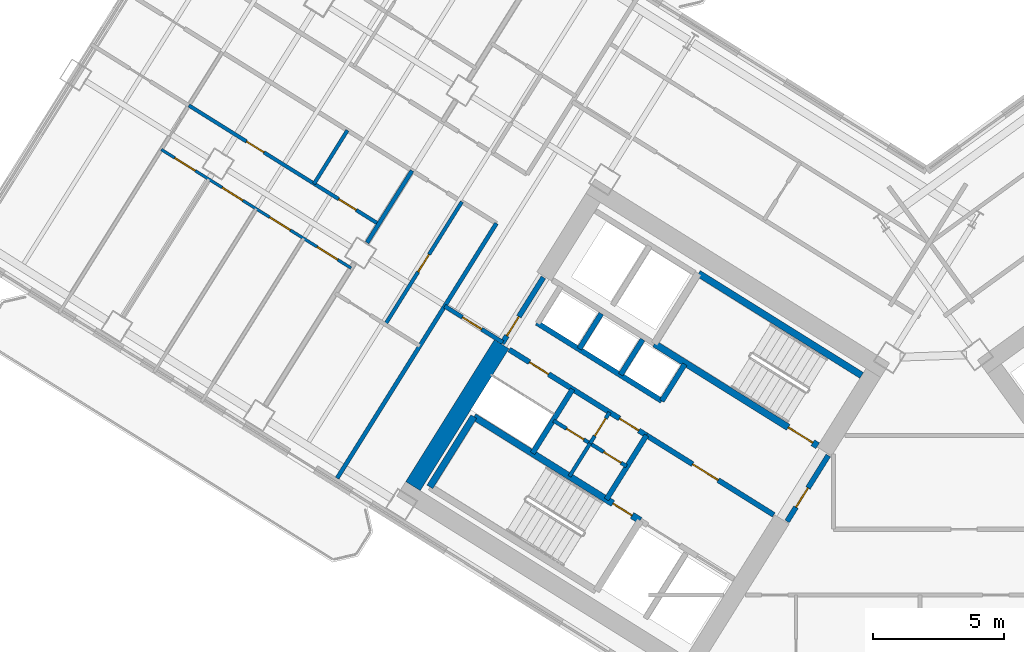
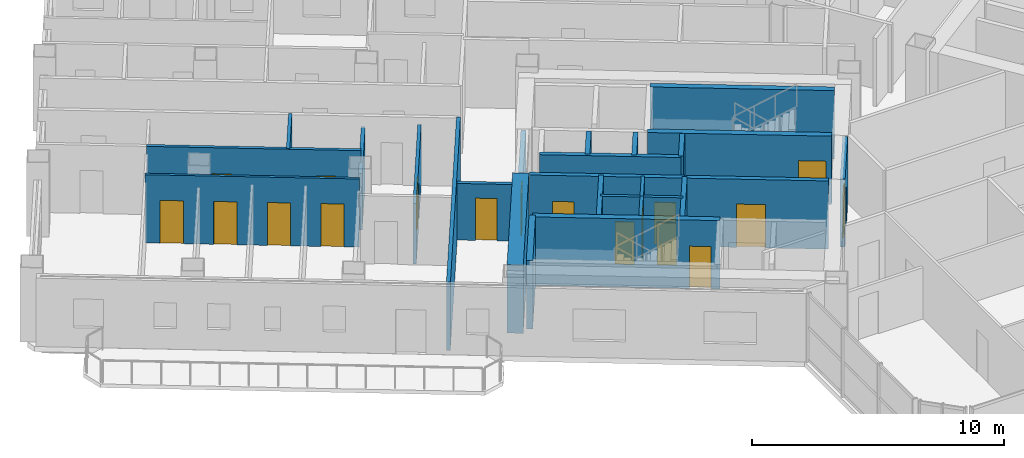
# One storey, part 12 of 22: 25 walls, 18 doors, 18 openings.
"""IFC4 building model written with IfcOpenShell, lengths in metres."""

import ifcopenshell
import ifcopenshell.guid

model = None  # the IFC model being written
_history = None  # IfcOwnerHistory: only IFC2X3 demands one
_inside = {}  # id of a spatial element -> (the spatial element, [elements in it])
_under = {}  # id of a project, library or spatial element -> (it, [spatial elements below it])
_declared = {}  # id of a project -> (the project, [libraries it declares])
_typed = {}  # id of a type object -> (the type object, [elements of that type])
_made_of = {}  # id of a material, layer set ... -> (it, [elements and type objects made of it])


def new_model(schema):
    """Start an empty IFC model of exactly this schema.

    Asked for "IFC4X3", IfcOpenShell would pick the latest addendum, in which some entities
    have other attributes; the version numbers below select the first issue.
    IFC2X3 requires an IfcOwnerHistory on every rooted entity: one is made here for all.
    """
    global model, _history
    if schema == "IFC4X3":
        model = ifcopenshell.file(schema_version=(4, 3, 0, 0))
    else:
        model = ifcopenshell.file(schema=schema)
    _inside.clear()
    _under.clear()
    _declared.clear()
    _typed.clear()
    _made_of.clear()
    _history = None
    if model.schema == "IFC2X3":
        org = make("IfcOrganization", Name="unknown")
        user = make(
            "IfcPersonAndOrganization",
            ThePerson=make("IfcPerson", FamilyName="unknown"),
            TheOrganization=org,
        )
        app = make(
            "IfcApplication",
            ApplicationDeveloper=org,
            Version="unknown",
            ApplicationFullName="unknown",
            ApplicationIdentifier="unknown",
        )
        _history = make(
            "IfcOwnerHistory",
            OwningUser=user,
            OwningApplication=app,
            ChangeAction="ADDED",
            CreationDate=0,
        )
    return model


def make(cls, **values):
    """One entity of the class cls with the attributes given. An attribute that is None is left unset."""
    return model.create_entity(
        cls, **{name: value for name, value in values.items() if value is not None}
    )


def rooted(cls, **values):
    """An entity with a GlobalId (a new one), such as an element, a storey or a relation."""
    return make(cls, GlobalId=ifcopenshell.guid.new(), OwnerHistory=_history, **values)


def si_unit(unit_type, name, prefix=None):
    """IfcSIUnit, for example si_unit("LENGTHUNIT", "METRE", prefix="MILLI")."""
    return make("IfcSIUnit", UnitType=unit_type, Prefix=prefix, Name=name)


def assignment(units):
    """IfcUnitAssignment: the units of a project."""
    return None if units is None else make("IfcUnitAssignment", Units=units)


def point(xyz):
    """IfcCartesianPoint."""
    return None if xyz is None else make("IfcCartesianPoint", Coordinates=xyz)


def direction(xyz):
    """IfcDirection."""
    return None if xyz is None else make("IfcDirection", DirectionRatios=xyz)


def frame(location, z_axis=None, x_axis=None):
    """IfcAxis2Placement3D, a coordinate frame: its origin and axes. An axis left out is left unset."""
    return make(
        "IfcAxis2Placement3D",
        Location=point(location),
        Axis=direction(z_axis),
        RefDirection=direction(x_axis),
    )


def frame_2d(location, x_axis=None):
    """IfcAxis2Placement2D, a coordinate frame in the plane: its origin and x axis."""
    return make(
        "IfcAxis2Placement2D", Location=point(location), RefDirection=direction(x_axis)
    )


def origin():
    """The frame at (0, 0, 0) with its axes left unset."""
    return frame((0.0, 0.0, 0.0))


def place(relative_to, where):
    """IfcLocalPlacement: puts the frame where relative to a parent placement (None: the world)."""
    return make(
        "IfcLocalPlacement", PlacementRelTo=relative_to, RelativePlacement=where
    )


def context(
    kind, dimensions, precision=None, world=None, true_north=None, identifier=None
):
    """IfcGeometricRepresentationContext, for example the 3D "Model" context."""
    return make(
        "IfcGeometricRepresentationContext",
        ContextIdentifier=identifier,
        ContextType=kind,
        CoordinateSpaceDimension=dimensions,
        Precision=precision,
        WorldCoordinateSystem=world,
        TrueNorth=true_north,
    )


def subcontext(parent, identifier, kind, view, scale=None):
    """IfcGeometricRepresentationSubContext, for example "Body" below "Model"."""
    return make(
        "IfcGeometricRepresentationSubContext",
        ContextIdentifier=identifier,
        ContextType=kind,
        ParentContext=parent,
        TargetScale=scale,
        TargetView=view,
    )


def project(units=None, contexts=None):
    """IfcProject with its units and contexts."""
    return rooted(
        "IfcProject",
        Name="project",
        RepresentationContexts=contexts,
        UnitsInContext=assignment(units),
    )


def spatial(cls, under=None, at=None, **own):
    """A site, building, storey or space (cls), placed at a placement, below another one or the project."""
    s = rooted(cls, ObjectPlacement=at, **own)
    if under is not None:
        _under.setdefault(under.id(), (under, []))[1].append(s)
    return s


def profile(cls, at=None, kind="AREA", **sizes):
    """A parametric profile (cls). Its sizes go by their IFC names, for example OverallWidth=200.0."""
    return make(cls, ProfileType=kind, Position=at, **sizes)


def rectangle(**sizes):
    """IfcRectangleProfileDef."""
    return profile("IfcRectangleProfileDef", **sizes)


def extrude(swept, where, along, depth):
    """IfcExtrudedAreaSolid: the profile swept, set in the frame where, extruded along a direction by depth."""
    return make(
        "IfcExtrudedAreaSolid",
        SweptArea=swept,
        Position=where,
        ExtrudedDirection=direction(along),
        Depth=depth,
    )


def shape(context_of_items, identifier, shape_type, items):
    """IfcShapeRepresentation: the items that make up one representation, for example the "Body"."""
    return make(
        "IfcShapeRepresentation",
        ContextOfItems=context_of_items,
        RepresentationIdentifier=identifier,
        RepresentationType=shape_type,
        Items=items,
    )


def source(mapping_origin, context_of_items, identifier, shape_type, items):
    """IfcRepresentationMap: a shape defined once, which mapped items show again and again."""
    return make(
        "IfcRepresentationMap",
        MappingOrigin=mapping_origin,
        MappedRepresentation=shape(context_of_items, identifier, shape_type, items),
    )


def transform(
    local_origin,
    x_axis=None,
    y_axis=None,
    z_axis=None,
    scale=None,
    scale2=None,
    scale3=None,
    uniform=True,
):
    """IfcCartesianTransformationOperator3D, or its non-uniform kind. x_axis, y_axis, z_axis: its Axis1, 2, 3."""
    if uniform:
        return make(
            "IfcCartesianTransformationOperator3D",
            Axis1=direction(x_axis),
            Axis2=direction(y_axis),
            LocalOrigin=point(local_origin),
            Scale=scale,
            Axis3=direction(z_axis),
        )
    return make(
        "IfcCartesianTransformationOperator3DnonUniform",
        Axis1=direction(x_axis),
        Axis2=direction(y_axis),
        LocalOrigin=point(local_origin),
        Scale=scale,
        Axis3=direction(z_axis),
        Scale2=scale2,
        Scale3=scale3,
    )


def mapped(mapping_source, mapping_target):
    """IfcMappedItem: shows the shape of a source again, moved by a transform."""
    return make(
        "IfcMappedItem", MappingSource=mapping_source, MappingTarget=mapping_target
    )


def material(Name=None, Category=None):
    """IfcMaterial."""
    return make("IfcMaterial", Name=Name, Category=Category)


def layer(
    of_material, thickness, ventilated=None, Name=None, Category=None, Priority=None
):
    """IfcMaterialLayer: one layer of a wall or slab, of a material (None: an air gap)."""
    return make(
        "IfcMaterialLayer",
        Material=of_material,
        LayerThickness=thickness,
        IsVentilated=ventilated,
        Name=Name,
        Category=Category,
        Priority=Priority,
    )


def layer_set(layers, Name=None):
    """IfcMaterialLayerSet."""
    return make("IfcMaterialLayerSet", MaterialLayers=layers, LayerSetName=Name)


def made_of(thing, what):
    """Note that an element or type object is made of a material, layer set ...; save() writes the relation."""
    if what is not None:
        _made_of.setdefault(what.id(), (what, []))[1].append(thing)
    return thing


def type_object(cls, material=None, **own):
    """A type object (cls), such as IfcWallType, which elements share."""
    return made_of(rooted(cls, **own), material)


def element(
    cls,
    number,
    at=None,
    inside=None,
    cuts=None,
    type_object=None,
    material=None,
    context=None,
    identifier="Body",
    shape_type=None,
    held_by="IfcProductDefinitionShape",
    body=None,
    shapes=None,
    **own,
):
    """One element of the class cls, such as IfcWall. Its Tag is "e" and its number.

    at: its placement. inside: the storey or other place that contains it. cuts: it is an
    opening in that element (IfcRelVoidsElement). A single representation is given by context,
    identifier, shape_type and body (its items); several are given by shapes. held_by: the class
    of the entity that holds the representations. save() writes the other relations.
    """
    e = rooted(cls, Tag="e%d" % number, ObjectPlacement=at, **own)
    if body is not None:
        shapes = [shape(context, identifier, shape_type, body)]
    if shapes is not None:
        e.Representation = make(held_by, Representations=shapes)
    if inside is not None:
        _inside.setdefault(inside.id(), (inside, []))[1].append(e)
    if cuts is not None:
        rooted(
            "IfcRelVoidsElement", RelatingBuildingElement=cuts, RelatedOpeningElement=e
        )
    if type_object is not None:
        _typed.setdefault(type_object.id(), (type_object, []))[1].append(e)
    return made_of(e, material)


def fill(opening, filler):
    """IfcRelFillsElement: the door or window that sits in an opening."""
    return rooted(
        "IfcRelFillsElement",
        RelatingOpeningElement=opening,
        RelatedBuildingElement=filler,
    )


def aggregate(whole, parts):
    """IfcRelAggregates: a whole, such as a stair, and the parts it consists of."""
    return rooted("IfcRelAggregates", RelatingObject=whole, RelatedObjects=parts)


def save(model, path):
    """Write the relations noted so far, then the file.

    IfcRelAggregates (storeys below a building ...), IfcRelContainedInSpatialStructure (elements
    in a storey), IfcRelDefinesByType, IfcRelAssociatesMaterial and IfcRelDeclares: one each for
    every whole, place, type object, material and project.
    """
    for whole, parts in _under.values():
        aggregate(whole, parts)
    for where, things in _inside.values():
        rooted(
            "IfcRelContainedInSpatialStructure",
            RelatedElements=things,
            RelatingStructure=where,
        )
    for kind, things in _typed.values():
        rooted("IfcRelDefinesByType", RelatedObjects=things, RelatingType=kind)
    for what, things in _made_of.values():
        rooted("IfcRelAssociatesMaterial", RelatedObjects=things, RelatingMaterial=what)
    for by, libraries in _declared.values():
        rooted("IfcRelDeclares", RelatingContext=by, RelatedDefinitions=libraries)
    model.write(path)


model = new_model("IFC4")

# Units and contexts
model_context = context("Model", 3, precision=1e-05, world=origin(), true_north=direction((0.0, 1.0)))
body_context = subcontext(model_context, "Body", "Model", "MODEL_VIEW")
ifc_project = project(units=[si_unit("LENGTHUNIT", "METRE"), si_unit("AREAUNIT", "SQUARE_METRE"), si_unit("VOLUMEUNIT", "CUBIC_METRE"), si_unit("PLANEANGLEUNIT", "RADIAN"), si_unit("MASSUNIT", "GRAM", prefix="KILO")], contexts=[model_context])

# Site, building, storey
site_placement = place(None, origin())
site = spatial("IfcSite", under=ifc_project, at=site_placement, CompositionType="ELEMENT")
building_placement = place(site_placement, origin())
building = spatial("IfcBuilding", under=site, at=building_placement, Name="Tlacorven Tower", CompositionType="ELEMENT")
storey_placement = place(building_placement, frame((0.0, 0.0, 97.199951171875)))
storey = spatial("IfcBuildingStorey", under=building, at=storey_placement, Name="L24", CompositionType="ELEMENT", Elevation=97.199951171875)

# Wall
ifc_material_1 = material(Name="Concrete C60/75", Category="concrete")
ifc_layer_1 = layer(ifc_material_1, 0.64990234375)
ifc_layer_set_1 = layer_set([ifc_layer_1], Name="Concrete C60/75")
wall_type_1 = type_object("IfcWallType", Name="WL-COR-650", PredefinedType="SHEAR", material=ifc_layer_set_1)
wall_1_placement = place(storey_placement, frame((26.006591796875, 24.975830078125, 0.0), z_axis=(0.0, 0.0, 1.0), x_axis=(-0.529916319127, -0.848049936456, 0.0)))
element("IfcWall", 1, at=wall_1_placement, inside=storey, type_object=wall_type_1, Name="L24 W core end wall E2.2", PredefinedType="SHEAR", context=body_context, shape_type="SweptSolid", body=[
    extrude(rectangle(XDim=6.375, YDim=0.64990234375, at=frame_2d((3.1875, 0.0))), origin(), (0.0, 0.0, 1.0), 3.320068359375),
])

# Wall, opening, door
ifc_material_2 = material(Name="Gypsum plasterboard acoustic partition", Category="gypsum")
ifc_layer_2 = layer(ifc_material_2, 0.159912109375)
ifc_layer_set_2 = layer_set([ifc_layer_2], Name="Gypsum plasterboard acoustic partition")
wall_type_2 = type_object("IfcWallType", Name="WL-DEM-160", PredefinedType="PARTITIONING", material=ifc_layer_set_2)
wall_2_placement = place(storey_placement, frame((26.048828125, 25.043701171875, 0.0), z_axis=(0.0, 0.0, 1.0), x_axis=(-0.848050851465, 0.529914854792, 0.0)))
wall_2 = element("IfcWall", 2, at=wall_2_placement, inside=storey, type_object=wall_type_2, Name="L24 partition 50", PredefinedType="PARTITIONING", context=body_context, shape_type="SweptSolid", body=[
    extrude(rectangle(XDim=2.60986328125, YDim=0.159912109375, at=frame_2d((1.304931640625, 0.0))), origin(), (0.0, 0.0, 1.0), 2.7451171875),
])
opening_1_placement = place(wall_2_placement, frame((0.949951171875, 0.0, 0.0)))
opening_1 = element("IfcOpeningElement", 3, at=opening_1_placement, cuts=wall_2, Name="Opening D19", PredefinedType="OPENING", context=body_context, shape_type="SweptSolid", body=[
    extrude(rectangle(XDim=0.860107421875, YDim=2.050048828125, at=frame_2d((0.43017578125, 1.02490234375))), frame((0.0, 0.08984375, 0.0), z_axis=(0.0, -1.0, 0.0), x_axis=(1.0, 0.0, 0.0)), (0.0, 0.0, 1.0), 0.179931640625),
])
ifc_material_3 = material(Name="Fire-rated steel door assembly", Category="steel")
door_type_1 = type_object("IfcDoorType", Name="DR-RSR-FD60-0860", OperationType="NOTDEFINED", PredefinedType="DOOR", material=ifc_material_3)
shared_shape_1 = source(origin(), body_context, "Body", "SweptSolid", [
    extrude(rectangle(XDim=0.860107421875, YDim=2.050048828125, at=frame_2d((0.43017578125, 1.02490234375))), frame((0.0, 0.02490234375, 0.0), z_axis=(0.0, -1.0, 0.0), x_axis=(1.0, 0.0, 0.0)), (0.0, 0.0, 1.0), 0.050048828125),
])
door_1_placement = place(opening_1_placement, origin())
door_1 = element("IfcDoor", 4, at=door_1_placement, inside=storey, type_object=door_type_1, Name="L24 door 021", OperationType="SINGLE_SWING_RIGHT", OverallHeight=2.050048828125, OverallWidth=0.860107421875, PredefinedType="DOOR", context=body_context, shape_type="MappedRepresentation", body=[
    mapped(shared_shape_1, transform((0.0, 0.0, 0.0), scale=1.0)),
])
fill(opening_1, door_1)

# Walls
wall_3_placement = place(storey_placement, frame((25.806884765625, 29.58154296875, 0.0), z_axis=(0.0, 0.0, 1.0), x_axis=(-0.529920357077, -0.848047413271, 0.0)))
element("IfcWall", 5, at=wall_3_placement, inside=storey, type_object=wall_type_2, Name="L24 partition 52", PredefinedType="PARTITIONING", context=body_context, shape_type="SweptSolid", body=[
    extrude(rectangle(XDim=11.4501953125, YDim=0.159912109375, at=frame_2d((5.72509765625, 0.0))), origin(), (0.0, 0.0, 1.0), 3.31005859375),
])
wall_4_placement = place(storey_placement, frame((22.5927734375, 31.58984375, 0.0), z_axis=(0.0, 0.0, 1.0), x_axis=(-0.529924383291, -0.848044897393, 0.0)))
element("IfcWall", 6, at=wall_4_placement, inside=storey, type_object=wall_type_2, Name="L24 WN Demising Wall 1", PredefinedType="PARTITIONING", context=body_context, shape_type="SweptSolid", body=[
    extrude(rectangle(XDim=3.23779296875, YDim=0.159912109375, at=frame_2d((1.618896484375, 0.0))), origin(), (0.0, 0.0, 1.0), 2.7451171875),
])

# Wall, openings, doors
ifc_material_4 = material(Name="Gypsum plasterboard partition", Category="gypsum")
ifc_layer_3 = layer(ifc_material_4, 0.110107421875)
ifc_layer_set_3 = layer_set([ifc_layer_3], Name="Gypsum plasterboard partition")
wall_type_3 = type_object("IfcWallType", Name="WL-INT-110", PredefinedType="PARTITIONING", material=ifc_layer_set_3)
wall_5_placement = place(storey_placement, frame((20.271728515625, 27.87548828125, 0.0), z_axis=(0.0, 0.0, 1.0), x_axis=(-0.848056204746, 0.529906287557, 0.0)))
wall_5 = element("IfcWall", 7, at=wall_5_placement, inside=storey, type_object=wall_type_3, Name="L24 partition 64", PredefinedType="PARTITIONING", context=body_context, shape_type="SweptSolid", body=[
    extrude(rectangle(XDim=8.527099609375, YDim=0.110107421875, at=frame_2d((4.263671875, 0.0))), origin(), (0.0, 0.0, 1.0), 3.31005859375),
])
opening_2_placement = place(wall_5_placement, frame((0.60595703125, 0.0, 0.0)))
opening_2 = element("IfcOpeningElement", 8, at=opening_2_placement, cuts=wall_5, Name="Opening D12", PredefinedType="OPENING", context=body_context, shape_type="SweptSolid", body=[
    extrude(rectangle(XDim=0.919921875, YDim=2.080078125, at=frame_2d((0.4599609375, 1.0400390625))), frame((0.0, 0.06494140625, 0.0), z_axis=(0.0, -1.0, 0.0), x_axis=(1.0, 0.0, 0.0)), (0.0, 0.0, 1.0), 0.130126953125),
])
opening_3_placement = place(wall_5_placement, frame((2.738037109375, 0.0, 0.0)))
opening_3 = element("IfcOpeningElement", 9, at=opening_3_placement, cuts=wall_5, Name="Opening D12", PredefinedType="OPENING", context=body_context, shape_type="SweptSolid", body=[
    extrude(rectangle(XDim=0.919921875, YDim=2.080078125, at=frame_2d((0.4599609375, 1.0400390625))), frame((0.0, 0.06494140625, 0.0), z_axis=(0.0, -1.0, 0.0), x_axis=(1.0, 0.0, 0.0)), (0.0, 0.0, 1.0), 0.130126953125),
])
opening_4_placement = place(wall_5_placement, frame((4.869384765625, 0.0, 0.0)))
opening_4 = element("IfcOpeningElement", 10, at=opening_4_placement, cuts=wall_5, Name="Opening D12", PredefinedType="OPENING", context=body_context, shape_type="SweptSolid", body=[
    extrude(rectangle(XDim=0.919921875, YDim=2.080078125, at=frame_2d((0.4599609375, 1.0400390625))), frame((0.0, 0.06494140625, 0.0), z_axis=(0.0, -1.0, 0.0), x_axis=(1.0, 0.0, 0.0)), (0.0, 0.0, 1.0), 0.130126953125),
])
opening_5_placement = place(wall_5_placement, frame((7.0009765625, 0.0, 0.0)))
opening_5 = element("IfcOpeningElement", 11, at=opening_5_placement, cuts=wall_5, Name="Opening D12", PredefinedType="OPENING", context=body_context, shape_type="SweptSolid", body=[
    extrude(rectangle(XDim=0.919921875, YDim=2.080078125, at=frame_2d((0.4599609375, 1.0400390625))), frame((0.0, 0.06494140625, 0.0), z_axis=(0.0, -1.0, 0.0), x_axis=(1.0, 0.0, 0.0)), (0.0, 0.0, 1.0), 0.130126953125),
])
ifc_material_5 = material(Name="Powder-coated aluminium and timber door", Category="wood")
door_type_2 = type_object("IfcDoorType", Name="DR-INT-ROOM-0920", OperationType="NOTDEFINED", PredefinedType="DOOR", material=ifc_material_5)
shared_shape_2 = source(origin(), body_context, "Body", "SweptSolid", [
    extrude(rectangle(XDim=0.919921875, YDim=2.080078125, at=frame_2d((0.4599609375, 1.0400390625))), frame((0.0, 0.02490234375, 0.0), z_axis=(0.0, -1.0, 0.0), x_axis=(1.0, 0.0, 0.0)), (0.0, 0.0, 1.0), 0.050048828125),
])
door_2_placement = place(opening_2_placement, origin())
door_2 = element("IfcDoor", 12, at=door_2_placement, inside=storey, type_object=door_type_2, Name="L24 door 032", OperationType="SINGLE_SWING_RIGHT", OverallHeight=2.080078125, OverallWidth=0.919921875, PredefinedType="DOOR", context=body_context, shape_type="MappedRepresentation", body=[
    mapped(shared_shape_2, transform((0.0, 0.0, 0.0), scale=1.0)),
])
fill(opening_2, door_2)
door_3_placement = place(opening_3_placement, origin())
door_3 = element("IfcDoor", 13, at=door_3_placement, inside=storey, type_object=door_type_2, Name="L24 door 033", OperationType="SINGLE_SWING_LEFT", OverallHeight=2.080078125, OverallWidth=0.919921875, PredefinedType="DOOR", context=body_context, shape_type="MappedRepresentation", body=[
    mapped(shared_shape_2, transform((0.0, 0.0, 0.0), scale=1.0)),
])
fill(opening_3, door_3)
door_4_placement = place(opening_4_placement, origin())
door_4 = element("IfcDoor", 14, at=door_4_placement, inside=storey, type_object=door_type_2, Name="L24 door 034", OperationType="SINGLE_SWING_RIGHT", OverallHeight=2.080078125, OverallWidth=0.919921875, PredefinedType="DOOR", context=body_context, shape_type="MappedRepresentation", body=[
    mapped(shared_shape_2, transform((0.0, 0.0, 0.0), scale=1.0)),
])
fill(opening_4, door_4)
door_5_placement = place(opening_5_placement, origin())
door_5 = element("IfcDoor", 15, at=door_5_placement, inside=storey, type_object=door_type_2, Name="L24 door 035", OperationType="SINGLE_SWING_LEFT", OverallHeight=2.080078125, OverallWidth=0.919921875, PredefinedType="DOOR", context=body_context, shape_type="MappedRepresentation", body=[
    mapped(shared_shape_2, transform((0.0, 0.0, 0.0), scale=1.0)),
])
fill(opening_5, door_5)

# Wall, opening, door
ifc_material_6 = material(Name="Moisture-resistant gypsum plumbing wall", Category="gypsum")
ifc_layer_4 = layer(ifc_material_6, 0.139892578125)
ifc_layer_set_4 = layer_set([ifc_layer_4], Name="Moisture-resistant gypsum plumbing wall")
wall_type_4 = type_object("IfcWallType", Name="WL-PLM-140", PredefinedType="PLUMBINGWALL", material=ifc_layer_set_4)
wall_6_placement = place(storey_placement, frame((30.117431640625, 22.383544921875, 0.0), z_axis=(0.0, 0.0, 1.0), x_axis=(-0.529951914384, -0.848027693204, 0.0)))
wall_6 = element("IfcWall", 16, at=wall_6_placement, inside=storey, type_object=wall_type_4, Name="L24 partition 23", PredefinedType="PLUMBINGWALL", context=body_context, shape_type="SweptSolid", body=[
    extrude(rectangle(XDim=1.39990234375, YDim=0.139892578125, at=frame_2d((0.699951171875, 0.0))), origin(), (0.0, 0.0, 1.0), 3.31005859375),
])
opening_6_placement = place(wall_6_placement, frame((0.280029296875, 0.0, 0.0)))
opening_6 = element("IfcOpeningElement", 17, at=opening_6_placement, cuts=wall_6, Name="Opening D22", PredefinedType="OPENING", context=body_context, shape_type="SweptSolid", body=[
    extrude(rectangle(XDim=0.780029296875, YDim=2.050048828125, at=frame_2d((0.39013671875, 1.02490234375))), frame((0.0, 0.080078125, 0.0), z_axis=(0.0, -1.0, 0.0), x_axis=(1.0, 0.0, 0.0)), (0.0, 0.0, 1.0), 0.159912109375),
])
door_type_3 = type_object("IfcDoorType", Name="DR-INT-WET-0780", OperationType="NOTDEFINED", PredefinedType="DOOR", material=ifc_material_5)
shared_shape_3 = source(origin(), body_context, "Body", "SweptSolid", [
    extrude(rectangle(XDim=0.780029296875, YDim=2.050048828125, at=frame_2d((0.39013671875, 1.02490234375))), frame((0.0, 0.02490234375, 0.0), z_axis=(0.0, -1.0, 0.0), x_axis=(1.0, 0.0, 0.0)), (0.0, 0.0, 1.0), 0.050048828125),
])
door_6_placement = place(opening_6_placement, origin())
door_6 = element("IfcDoor", 18, at=door_6_placement, inside=storey, type_object=door_type_3, Name="L24 door 008", OperationType="SINGLE_SWING_LEFT", OverallHeight=2.050048828125, OverallWidth=0.780029296875, PredefinedType="DOOR", context=body_context, shape_type="MappedRepresentation", body=[
    mapped(shared_shape_3, transform((0.0, 0.0, 0.0), scale=1.0)),
])
fill(opening_6, door_6)

# Wall
wall_7_placement = place(storey_placement, frame((29.37548828125, 21.1962890625, 0.0), z_axis=(0.0, 0.0, 1.0), x_axis=(-0.529865479138, -0.848081702443, 0.0)))
element("IfcWall", 19, at=wall_7_placement, inside=storey, type_object=wall_type_4, Name="L24 partition 24", PredefinedType="PLUMBINGWALL", context=body_context, shape_type="SweptSolid", body=[
    extrude(rectangle(XDim=1.47998046875, YDim=0.139892578125, at=frame_2d((0.739990234375, 0.0))), origin(), (0.0, 0.0, 1.0), 3.31005859375),
])

# Wall, openings, doors
wall_8_placement = place(storey_placement, frame((30.766357421875, 20.3271484375, 0.0), z_axis=(0.0, 0.0, 1.0), x_axis=(-0.848052663127, 0.529911955482, 0.0)))
wall_8 = element("IfcWall", 20, at=wall_8_placement, inside=storey, type_object=wall_type_4, Name="L24 partition 25", PredefinedType="PLUMBINGWALL", context=body_context, shape_type="SweptSolid", body=[
    extrude(rectangle(XDim=3.27978515625, YDim=0.139892578125, at=frame_2d((1.639892578125, 0.0))), origin(), (0.0, 0.0, 1.0), 3.31005859375),
])
opening_7_placement = place(wall_8_placement, frame((0.25, 0.0, 0.0)))
opening_7 = element("IfcOpeningElement", 21, at=opening_7_placement, cuts=wall_8, Name="Opening D22", PredefinedType="OPENING", context=body_context, shape_type="SweptSolid", body=[
    extrude(rectangle(XDim=0.780029296875, YDim=2.050048828125, at=frame_2d((0.39013671875, 1.02490234375))), frame((0.0, 0.080078125, 0.0), z_axis=(0.0, -1.0, 0.0), x_axis=(1.0, 0.0, 0.0)), (0.0, 0.0, 1.0), 0.159912109375),
])
opening_8_placement = place(wall_8_placement, frame((1.919921875, 0.0, 0.0)))
opening_8 = element("IfcOpeningElement", 22, at=opening_8_placement, cuts=wall_8, Name="Opening D22", PredefinedType="OPENING", context=body_context, shape_type="SweptSolid", body=[
    extrude(rectangle(XDim=0.780029296875, YDim=2.050048828125, at=frame_2d((0.39013671875, 1.02490234375))), frame((0.0, 0.080078125, 0.0), z_axis=(0.0, -1.0, 0.0), x_axis=(1.0, 0.0, 0.0)), (0.0, 0.0, 1.0), 0.159912109375),
])
door_7_placement = place(opening_7_placement, origin())
door_7 = element("IfcDoor", 23, at=door_7_placement, inside=storey, type_object=door_type_3, Name="L24 door 009", OperationType="SINGLE_SWING_RIGHT", OverallHeight=2.050048828125, OverallWidth=0.780029296875, PredefinedType="DOOR", context=body_context, shape_type="MappedRepresentation", body=[
    mapped(shared_shape_3, transform((0.0, 0.0, 0.0), scale=1.0)),
])
fill(opening_7, door_7)
door_8_placement = place(opening_8_placement, origin())
door_8 = element("IfcDoor", 24, at=door_8_placement, inside=storey, type_object=door_type_3, Name="L24 door 010", OperationType="SINGLE_SWING_LEFT", OverallHeight=2.050048828125, OverallWidth=0.780029296875, PredefinedType="DOOR", context=body_context, shape_type="MappedRepresentation", body=[
    mapped(shared_shape_3, transform((0.0, 0.0, 0.0), scale=1.0)),
])
fill(opening_8, door_8)

# Wall, opening, door
wall_9_placement = place(storey_placement, frame((24.492431640625, 30.40283203125, 0.0), z_axis=(0.0, 0.0, 1.0), x_axis=(-0.529919283494, -0.848048084121, 0.0)))
wall_9 = element("IfcWall", 25, at=wall_9_placement, inside=storey, type_object=wall_type_4, Name="L24 partition 58", PredefinedType="PLUMBINGWALL", context=body_context, shape_type="SweptSolid", body=[
    extrude(rectangle(XDim=5.510009765625, YDim=0.139892578125, at=frame_2d((2.7548828125, 0.0))), origin(), (0.0, 0.0, 1.0), 2.93505859375),
])
opening_9_placement = place(wall_9_placement, frame((2.364990234375, 0.0, 0.0)))
opening_9 = element("IfcOpeningElement", 26, at=opening_9_placement, cuts=wall_9, Name="Opening D22", PredefinedType="OPENING", context=body_context, shape_type="SweptSolid", body=[
    extrude(rectangle(XDim=0.780029296875, YDim=2.050048828125, at=frame_2d((0.39013671875, 1.02490234375))), frame((0.0, 0.080078125, 0.0), z_axis=(0.0, -1.0, 0.0), x_axis=(1.0, 0.0, 0.0)), (0.0, 0.0, 1.0), 0.159912109375),
])
door_9_placement = place(opening_9_placement, origin())
door_9 = element("IfcDoor", 27, at=door_9_placement, inside=storey, type_object=door_type_3, Name="L24 door 025", OperationType="SINGLE_SWING_LEFT", OverallHeight=2.050048828125, OverallWidth=0.780029296875, PredefinedType="DOOR", context=body_context, shape_type="MappedRepresentation", body=[
    mapped(shared_shape_3, transform((0.0, 0.0, 0.0), scale=1.0)),
])
fill(opening_9, door_9)

# Wall, openings, doors
wall_10_placement = place(storey_placement, frame((21.32080078125, 29.554443359375, 0.0), z_axis=(0.0, 0.0, 1.0), x_axis=(-0.84803529765, 0.529939745575, 0.0)))
wall_10 = element("IfcWall", 28, at=wall_10_placement, inside=storey, type_object=wall_type_4, Name="L24 partition 62", PredefinedType="PLUMBINGWALL", context=body_context, shape_type="SweptSolid", body=[
    extrude(rectangle(XDim=8.527099609375, YDim=0.139892578125, at=frame_2d((4.263671875, 0.0))), origin(), (0.0, 0.0, 1.0), 3.31005859375),
])
opening_10_placement = place(wall_10_placement, frame((5.154541015625, 0.0, 0.0)))
opening_10 = element("IfcOpeningElement", 29, at=opening_10_placement, cuts=wall_10, Name="Opening D22", PredefinedType="OPENING", context=body_context, shape_type="SweptSolid", body=[
    extrude(rectangle(XDim=0.780029296875, YDim=2.050048828125, at=frame_2d((0.39013671875, 1.02490234375))), frame((0.0, 0.080078125, 0.0), z_axis=(0.0, -1.0, 0.0), x_axis=(1.0, 0.0, 0.0)), (0.0, 0.0, 1.0), 0.159912109375),
])
opening_11_placement = place(wall_10_placement, frame((1.010986328125, 0.0, 0.0)))
opening_11 = element("IfcOpeningElement", 30, at=opening_11_placement, cuts=wall_10, Name="Opening D22", PredefinedType="OPENING", context=body_context, shape_type="SweptSolid", body=[
    extrude(rectangle(XDim=0.780029296875, YDim=2.050048828125, at=frame_2d((0.39013671875, 1.02490234375))), frame((0.0, 0.080078125, 0.0), z_axis=(0.0, -1.0, 0.0), x_axis=(1.0, 0.0, 0.0)), (0.0, 0.0, 1.0), 0.159912109375),
])
door_10_placement = place(opening_10_placement, origin())
door_10 = element("IfcDoor", 31, at=door_10_placement, inside=storey, type_object=door_type_3, Name="L24 door 030", OperationType="SINGLE_SWING_LEFT", OverallHeight=2.050048828125, OverallWidth=0.780029296875, PredefinedType="DOOR", context=body_context, shape_type="MappedRepresentation", body=[
    mapped(shared_shape_3, transform((0.0, 0.0, 0.0), scale=1.0)),
])
fill(opening_10, door_10)
door_11_placement = place(opening_11_placement, origin())
door_11 = element("IfcDoor", 32, at=door_11_placement, inside=storey, type_object=door_type_3, Name="L24 door 031", OperationType="SINGLE_SWING_LEFT", OverallHeight=2.050048828125, OverallWidth=0.780029296875, PredefinedType="DOOR", context=body_context, shape_type="MappedRepresentation", body=[
    mapped(shared_shape_3, transform((0.0, 0.0, 0.0), scale=1.0)),
])
fill(opening_11, door_11)

# Wall
wall_11_placement = place(storey_placement, frame((20.131591796875, 33.127685546875, 0.0), z_axis=(0.0, 0.0, 1.0), x_axis=(-0.529935194983, -0.848038141311, 0.0)))
element("IfcWall", 33, at=wall_11_placement, inside=storey, type_object=wall_type_4, Name="L24 partition 63", PredefinedType="PLUMBINGWALL", context=body_context, shape_type="SweptSolid", body=[
    extrude(rectangle(XDim=2.409912109375, YDim=0.139892578125, at=frame_2d((1.205078125, 0.0))), origin(), (0.0, 0.0, 1.0), 3.31005859375),
])

# Wall, opening, door
ifc_material_7 = material(Name="Concrete C40/50", Category="concrete")
ifc_layer_5 = layer(ifc_material_7, 0.199951171875)
ifc_layer_set_5 = layer_set([ifc_layer_5], Name="Concrete C40/50")
wall_type_5 = type_object("IfcWallType", Name="WL-SHF-200", PredefinedType="STANDARD", material=ifc_layer_set_5)
wall_12_placement = place(storey_placement, frame((36.374267578125, 18.4736328125, 0.0), z_axis=(0.0, 0.0, 1.0), x_axis=(-0.848051071577, 0.529914502535, 0.0)))
wall_12 = element("IfcWall", 34, at=wall_12_placement, inside=storey, type_object=wall_type_5, Name="L24 Core W Smoke Lobby Wall", PredefinedType="STANDARD", context=body_context, shape_type="SweptSolid", body=[
    extrude(rectangle(XDim=5.718017578125, YDim=0.199951171875, at=frame_2d((2.85888671875, 0.0))), origin(), (0.0, 0.0, 1.0), 3.31005859375),
])
opening_12_placement = place(wall_12_placement, frame((2.498046875, 0.0, 0.0)))
opening_12 = element("IfcOpeningElement", 35, at=opening_12_placement, cuts=wall_12, Name="Opening D09", PredefinedType="OPENING", context=body_context, shape_type="SweptSolid", body=[
    extrude(rectangle(XDim=1.14990234375, YDim=2.10009765625, at=frame_2d((0.574951171875, 1.050048828125))), frame((0.0, 0.10986328125, 0.0), z_axis=(0.0, -1.0, 0.0), x_axis=(1.0, 0.0, 0.0)), (0.0, 0.0, 1.0), 0.219970703125),
])
door_type_4 = type_object("IfcDoorType", Name="DR-FFL-FD60-1150", OperationType="NOTDEFINED", PredefinedType="DOOR", material=ifc_material_3)
shared_shape_4 = source(origin(), body_context, "Body", "SweptSolid", [
    extrude(rectangle(XDim=1.14990234375, YDim=2.10009765625, at=frame_2d((0.574951171875, 1.050048828125))), frame((0.0, 0.02490234375, 0.0), z_axis=(0.0, -1.0, 0.0), x_axis=(1.0, 0.0, 0.0)), (0.0, 0.0, 1.0), 0.050048828125),
])
door_12_placement = place(opening_12_placement, origin())
door_12 = element("IfcDoor", 36, at=door_12_placement, inside=storey, type_object=door_type_4, Name="L24 Firefighting Lobby W Fire Door", OperationType="SINGLE_SWING_RIGHT", OverallHeight=2.10009765625, OverallWidth=1.14990234375, PredefinedType="DOOR", context=body_context, shape_type="MappedRepresentation", body=[
    mapped(shared_shape_4, transform((0.0, 0.0, 0.0), scale=1.0)),
])
fill(opening_12, door_12)

# Walls
wall_13_placement = place(storey_placement, frame((32.108154296875, 22.81396484375, 0.0), z_axis=(0.0, 0.0, 1.0), x_axis=(-0.848042229521, 0.529928652696, 0.0)))
element("IfcWall", 37, at=wall_13_placement, inside=storey, type_object=wall_type_5, Name="L24 partition 11", PredefinedType="STANDARD", context=body_context, shape_type="SweptSolid", body=[
    extrude(rectangle(XDim=5.6201171875, YDim=0.199951171875, at=frame_2d((2.81005859375, 0.0))), origin(), (0.0, 0.0, 1.0), 3.31005859375),
])
wall_14_placement = place(storey_placement, frame((32.982421875, 24.21337890625, 0.0), z_axis=(0.0, 0.0, 1.0), x_axis=(-0.529839334948, -0.84809803628, 0.0)))
element("IfcWall", 38, at=wall_14_placement, inside=storey, type_object=wall_type_5, Name="L24 partition 12", PredefinedType="STANDARD", context=body_context, shape_type="SweptSolid", body=[
    extrude(rectangle(XDim=1.650146484375, YDim=0.199951171875, at=frame_2d((0.8251953125, 0.0))), origin(), (0.0, 0.0, 1.0), 3.31005859375),
])
for number, where, z_axis, x_axis, name in (
    (39, (31.378662109375, 25.156494140625, 0.0), (0.0, 0.0, 1.0), (-0.529998940003, -0.847998304005, 0.0), "L24 partition 18"),
    (40, (29.80126953125, 26.14208984375, 0.0), (0.0, 0.0, 1.0), (-0.529998940003, -0.847998304005, 0.0), "L24 partition 19"),
):
    element("IfcWall", number, at=place(storey_placement, frame(where, z_axis=z_axis, x_axis=x_axis)), inside=storey, type_object=wall_type_5, Name=name, PredefinedType="STANDARD", context=body_context, shape_type="SweptSolid", body=[
        extrude(rectangle(XDim=1.580078125, YDim=0.199951171875, at=frame_2d((0.7900390625, 0.0))), origin(), (0.0, 0.0, 1.0), 3.31005859375),
    ])
for number, where, z_axis, x_axis, name in (
    (41, (31.525146484375, 21.503662109375, 0.0), (0.0, 0.0, 1.0), (-0.529907497854, -0.848055448493, 0.0), "L24 partition 20"),
    (42, (28.709716796875, 23.26318359375, 0.0), (0.0, 0.0, 1.0), (-0.529907497854, -0.848055448493, 0.0), "L24 partition 21"),
):
    element("IfcWall", number, at=place(storey_placement, frame(where, z_axis=z_axis, x_axis=x_axis)), inside=storey, type_object=wall_type_5, Name=name, PredefinedType="STANDARD", context=body_context, shape_type="SweptSolid", body=[
        extrude(rectangle(XDim=2.8798828125, YDim=0.199951171875, at=frame_2d((1.43994140625, 0.0))), origin(), (0.0, 0.0, 1.0), 3.31005859375),
    ])

# Wall, openings, doors
wall_15_placement = place(storey_placement, frame((31.525146484375, 21.503662109375, 0.0), z_axis=(0.0, 0.0, 1.0), x_axis=(-0.848044998614, 0.529924221305, 0.0)))
wall_15 = element("IfcWall", 43, at=wall_15_placement, inside=storey, type_object=wall_type_5, Name="L24 Core W North Service Wall", PredefinedType="STANDARD", context=body_context, shape_type="SweptSolid", body=[
    extrude(rectangle(XDim=6.16796875, YDim=0.199951171875, at=frame_2d((3.083984375, 0.0))), origin(), (0.0, 0.0, 1.0), 3.31005859375),
])
opening_13_placement = place(wall_15_placement, frame((4.39990234375, 0.0, 0.0)))
opening_13 = element("IfcOpeningElement", 44, at=opening_13_placement, cuts=wall_15, Name="Opening D19", PredefinedType="OPENING", context=body_context, shape_type="SweptSolid", body=[
    extrude(rectangle(XDim=0.860107421875, YDim=2.050048828125, at=frame_2d((0.43017578125, 1.02490234375))), frame((0.0, 0.10986328125, 0.0), z_axis=(0.0, -1.0, 0.0), x_axis=(1.0, 0.0, 0.0)), (0.0, 0.0, 1.0), 0.219970703125),
])
opening_14_placement = place(wall_15_placement, frame((0.35009765625, 0.0, 0.0)))
opening_14 = element("IfcOpeningElement", 45, at=opening_14_placement, cuts=wall_15, Name="Opening D19", PredefinedType="OPENING", context=body_context, shape_type="SweptSolid", body=[
    extrude(rectangle(XDim=0.860107421875, YDim=2.050048828125, at=frame_2d((0.43017578125, 1.02490234375))), frame((0.0, 0.10986328125, 0.0), z_axis=(0.0, -1.0, 0.0), x_axis=(1.0, 0.0, 0.0)), (0.0, 0.0, 1.0), 0.219970703125),
])
door_13_placement = place(opening_13_placement, frame((0.860107421875, 0.0, 0.0), z_axis=(0.0, 0.0, 1.0), x_axis=(-1.0, 0.0, 0.0)))
door_13 = element("IfcDoor", 46, at=door_13_placement, inside=storey, type_object=door_type_1, Name="L24 Electrical Riser Access Door W", OperationType="SINGLE_SWING_LEFT", OverallHeight=2.050048828125, OverallWidth=0.860107421875, PredefinedType="DOOR", context=body_context, shape_type="MappedRepresentation", body=[
    mapped(shared_shape_1, transform((0.0, 0.0, 0.0), scale=1.0)),
])
fill(opening_13, door_13)
door_14_placement = place(opening_14_placement, frame((0.860107421875, 0.0, 0.0), z_axis=(0.0, 0.0, 1.0), x_axis=(-1.0, 0.0, 0.0)))
door_14 = element("IfcDoor", 47, at=door_14_placement, inside=storey, type_object=door_type_1, Name="L24 Cleaning Room Access Door W", OperationType="SINGLE_SWING_RIGHT", OverallHeight=2.050048828125, OverallWidth=0.860107421875, PredefinedType="DOOR", context=body_context, shape_type="MappedRepresentation", body=[
    mapped(shared_shape_1, transform((0.0, 0.0, 0.0), scale=1.0)),
])
fill(opening_14, door_14)

# Wall, opening, door
wall_16_placement = place(storey_placement, frame((27.59619140625, 27.52001953125, 0.0), z_axis=(0.0, 0.0, 1.0), x_axis=(-0.529865479138, -0.848081702443, 0.0)))
wall_16 = element("IfcWall", 48, at=wall_16_placement, inside=storey, type_object=wall_type_5, Name="L24 partition 48", PredefinedType="STANDARD", context=body_context, shape_type="SweptSolid", body=[
    extrude(rectangle(XDim=2.9599609375, YDim=0.199951171875, at=frame_2d((1.47998046875, 0.0))), origin(), (0.0, 0.0, 1.0), 3.31005859375),
])
opening_15_placement = place(wall_16_placement, frame((1.760009765625, 0.0, 0.0)))
opening_15 = element("IfcOpeningElement", 49, at=opening_15_placement, cuts=wall_16, Name="Opening D19", PredefinedType="OPENING", context=body_context, shape_type="SweptSolid", body=[
    extrude(rectangle(XDim=0.860107421875, YDim=2.050048828125, at=frame_2d((0.43017578125, 1.02490234375))), frame((0.0, 0.10986328125, 0.0), z_axis=(0.0, -1.0, 0.0), x_axis=(1.0, 0.0, 0.0)), (0.0, 0.0, 1.0), 0.219970703125),
])
door_15_placement = place(opening_15_placement, origin())
door_15 = element("IfcDoor", 50, at=door_15_placement, inside=storey, type_object=door_type_1, Name="L24 door 022", OperationType="SINGLE_SWING_LEFT", OverallHeight=2.050048828125, OverallWidth=0.860107421875, PredefinedType="DOOR", context=body_context, shape_type="MappedRepresentation", body=[
    mapped(shared_shape_1, transform((0.0, 0.0, 0.0), scale=1.0)),
])
fill(opening_15, door_15)

wall_17_placement = place(storey_placement, frame((38.451416015625, 20.737060546875, 0.0), z_axis=(0.0, 0.0, 1.0), x_axis=(-0.529924799939, -0.848044637038, 0.0)))
wall_17 = element("IfcWall", 51, at=wall_17_placement, inside=storey, type_object=wall_type_5, Name="L24 partition 83", PredefinedType="STANDARD", context=body_context, shape_type="SweptSolid", body=[
    extrude(rectangle(XDim=2.9599609375, YDim=0.199951171875, at=frame_2d((1.47998046875, 0.0))), origin(), (0.0, 0.0, 1.0), 3.31005859375),
])
opening_16_placement = place(wall_17_placement, frame((1.4599609375, 0.0, 0.0)))
opening_16 = element("IfcOpeningElement", 52, at=opening_16_placement, cuts=wall_17, Name="Opening D19", PredefinedType="OPENING", context=body_context, shape_type="SweptSolid", body=[
    extrude(rectangle(XDim=0.860107421875, YDim=2.050048828125, at=frame_2d((0.43017578125, 1.02490234375))), frame((0.0, 0.10986328125, 0.0), z_axis=(0.0, -1.0, 0.0), x_axis=(1.0, 0.0, 0.0)), (0.0, 0.0, 1.0), 0.219970703125),
])
door_16_placement = place(opening_16_placement, frame((0.860107421875, 0.0, 0.0), z_axis=(0.0, 0.0, 1.0), x_axis=(-1.0, 0.0, 0.0)))
door_16 = element("IfcDoor", 53, at=door_16_placement, inside=storey, type_object=door_type_1, Name="L24 door 052", OperationType="SINGLE_SWING_LEFT", OverallHeight=2.050048828125, OverallWidth=0.860107421875, PredefinedType="DOOR", context=body_context, shape_type="MappedRepresentation", body=[
    mapped(shared_shape_1, transform((0.0, 0.0, 0.0), scale=1.0)),
])
fill(opening_16, door_16)

ifc_material_8 = material(Name="Concrete C50/60", Category="concrete")
ifc_layer_6 = layer(ifc_material_8, 0.260009765625)
ifc_layer_set_6 = layer_set([ifc_layer_6], Name="Concrete C50/60")
wall_type_6 = type_object("IfcWallType", Name="WL-STW-260", PredefinedType="SHEAR", material=ifc_layer_set_6)
wall_18_placement = place(storey_placement, frame((31.279541015625, 18.26123046875, 0.0), z_axis=(0.0, 0.0, 1.0), x_axis=(-0.848051618787, 0.529913626805, 0.0)))
wall_18 = element("IfcWall", 54, at=wall_18_placement, inside=storey, type_object=wall_type_6, Name="L24 Stair W1 Lobby Shear Wall", PredefinedType="SHEAR", context=body_context, shape_type="SweptSolid", body=[
    extrude(rectangle(XDim=7.4599609375, YDim=0.260009765625, at=frame_2d((3.72998046875, 0.0))), origin(), (0.0, 0.0, 1.0), 3.320068359375),
])
opening_17_placement = place(wall_18_placement, frame((0.360107421875, 0.0, 0.0)))
opening_17 = element("IfcOpeningElement", 55, at=opening_17_placement, cuts=wall_18, Name="Opening D19", PredefinedType="OPENING", context=body_context, shape_type="SweptSolid", body=[
    extrude(rectangle(XDim=0.860107421875, YDim=2.050048828125, at=frame_2d((0.43017578125, 1.02490234375))), frame((0.0, 0.14013671875, 0.0), z_axis=(0.0, -1.0, 0.0), x_axis=(1.0, 0.0, 0.0)), (0.0, 0.0, 1.0), 0.280029296875),
])
door_17_placement = place(opening_17_placement, frame((0.860107421875, 0.0, 0.0), z_axis=(0.0, 0.0, 1.0), x_axis=(-1.0, 0.0, 0.0)))
door_17 = element("IfcDoor", 56, at=door_17_placement, inside=storey, type_object=door_type_1, Name="L24 Exit Stair W1 Fire Door", OperationType="SINGLE_SWING_LEFT", OverallHeight=2.050048828125, OverallWidth=0.860107421875, PredefinedType="DOOR", context=body_context, shape_type="MappedRepresentation", body=[
    mapped(shared_shape_1, transform((0.0, 0.0, 0.0), scale=1.0)),
])
fill(opening_17, door_17)

# Walls
wall_19_placement = place(storey_placement, frame((24.944580078125, 22.2197265625, 0.0), z_axis=(0.0, 0.0, 1.0), x_axis=(-0.529908658664, -0.84805472316, 0.0)))
element("IfcWall", 57, at=wall_19_placement, inside=storey, type_object=wall_type_6, Name="L24 Stair W1 East Shear Wall", PredefinedType="SHEAR", context=body_context, shape_type="SweptSolid", body=[
    extrude(rectangle(XDim=3.16015625, YDim=0.260009765625, at=frame_2d((1.580078125, 0.0))), origin(), (0.0, 0.0, 1.0), 3.320068359375),
])
wall_20_placement = place(storey_placement, frame((39.720947265625, 23.787841796875, 0.0), z_axis=(0.0, 0.0, 1.0), x_axis=(-0.848054434086, 0.529909121291, 0.0)))
element("IfcWall", 58, at=wall_20_placement, inside=storey, type_object=wall_type_6, Name="L24 Stair W2 Far Shear Wall", PredefinedType="SHEAR", context=body_context, shape_type="SweptSolid", body=[
    extrude(rectangle(XDim=7.330078125, YDim=0.260009765625, at=frame_2d((3.6650390625, 0.0))), origin(), (0.0, 0.0, 1.0), 3.320068359375),
])

# Wall, opening, door
wall_21_placement = place(storey_placement, frame((38.04638671875, 21.10791015625, 0.0), z_axis=(0.0, 0.0, 1.0), x_axis=(-0.848054434086, 0.529909121291, 0.0)))
wall_21 = element("IfcWall", 59, at=wall_21_placement, inside=storey, type_object=wall_type_6, Name="L24 Stair W2 Lobby Shear Wall", PredefinedType="SHEAR", context=body_context, shape_type="SweptSolid", body=[
    extrude(rectangle(XDim=7.330078125, YDim=0.260009765625, at=frame_2d((3.6650390625, 0.0))), origin(), (0.0, 0.0, 1.0), 3.320068359375),
])
opening_18_placement = place(wall_21_placement, frame((0.219970703125, 0.0, 0.0)))
opening_18 = element("IfcOpeningElement", 60, at=opening_18_placement, cuts=wall_21, Name="Opening D07", PredefinedType="OPENING", context=body_context, shape_type="SweptSolid", body=[
    extrude(rectangle(XDim=1.10009765625, YDim=2.10009765625, at=frame_2d((0.550048828125, 1.050048828125))), frame((0.0, 0.14013671875, 0.0), z_axis=(0.0, -1.0, 0.0), x_axis=(1.0, 0.0, 0.0)), (0.0, 0.0, 1.0), 0.280029296875),
])
door_type_5 = type_object("IfcDoorType", Name="DR-STR-FD90-1100", OperationType="NOTDEFINED", PredefinedType="DOOR", material=ifc_material_3)
shared_shape_5 = source(origin(), body_context, "Body", "SweptSolid", [
    extrude(rectangle(XDim=1.10009765625, YDim=2.10009765625, at=frame_2d((0.550048828125, 1.050048828125))), frame((0.0, 0.02490234375, 0.0), z_axis=(0.0, -1.0, 0.0), x_axis=(1.0, 0.0, 0.0)), (0.0, 0.0, 1.0), 0.050048828125),
])
door_18_placement = place(opening_18_placement, origin())
door_18 = element("IfcDoor", 61, at=door_18_placement, inside=storey, type_object=door_type_5, Name="L24 Exit Stair W2 Fire Door", OperationType="SINGLE_SWING_LEFT", OverallHeight=2.10009765625, OverallWidth=1.10009765625, PredefinedType="DOOR", context=body_context, shape_type="MappedRepresentation", body=[
    mapped(shared_shape_5, transform((0.0, 0.0, 0.0), scale=1.0)),
])
fill(opening_18, door_18)

save(model, "model.ifc")
